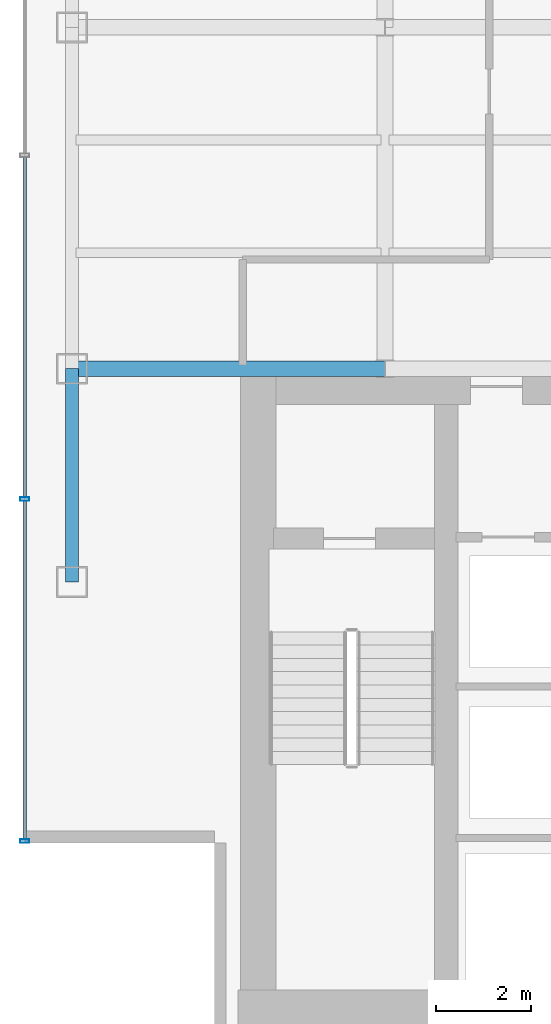
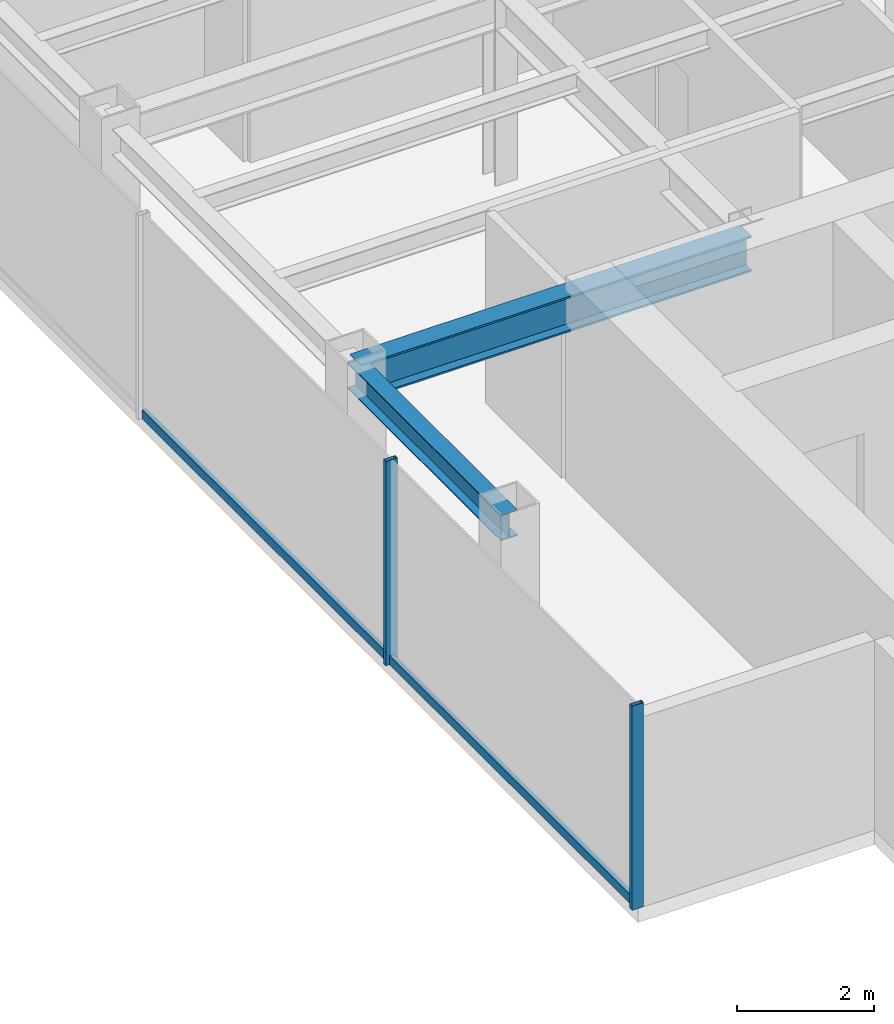
# One storey, part 3 of 25: 4 members, 2 beams, 1 element without a shape of its own.
"""IFC4 building model written with IfcOpenShell, lengths in metres."""

from ifc_helpers import new_model, si_unit, derived_unit, direction, frame, origin, origin_2d, place, context, subcontext, project, spatial, hollow_rectangle, i_section, extrude, source, transform, mapped, material, material_profile, profile_set, type_object, element, aggregate, save


model = new_model("IFC4")

# Units and contexts
model_context = context("Model", 3, precision=1e-05, world=origin(), true_north=direction((0.0, 1.0)))
body_context = subcontext(model_context, "Body", "Model", "MODEL_VIEW")
ifc_project = project(units=[si_unit("LENGTHUNIT", "METRE"), si_unit("AREAUNIT", "SQUARE_METRE"), si_unit("VOLUMEUNIT", "CUBIC_METRE"), si_unit("PLANEANGLEUNIT", "RADIAN"), si_unit("MASSUNIT", "GRAM", prefix="KILO"), derived_unit("THERMALTRANSMITTANCEUNIT", [(si_unit("POWERUNIT", "WATT"), 1), (si_unit("LENGTHUNIT", "METRE"), -2), (si_unit("THERMODYNAMICTEMPERATUREUNIT", "KELVIN"), -1)])], contexts=[model_context])

# Site, building, storey
site_placement = place(None, origin())
site = spatial("IfcSite", under=ifc_project, at=site_placement, CompositionType="ELEMENT")
building_placement = place(site_placement, origin())
building = spatial("IfcBuilding", under=site, at=building_placement, Name="Skarnbrae Concourse Arena and Tower", CompositionType="ELEMENT")
storey_placement = place(building_placement, frame((0.0, 0.0, 155.199951171875)))
storey = spatial("IfcBuildingStorey", under=building, at=storey_placement, Name="L39", CompositionType="ELEMENT", Elevation=155.199951171875)

# Beams
ifc_material_1 = material(Name="Steel CSA G40.21 350W", Category="steel")
ifc_material_profile_1 = material_profile(ifc_material_1, i_section(OverallWidth=0.3291015625, OverallDepth=0.635009765625, WebThickness=0.017822265625, FlangeThickness=0.031005859375, at=origin_2d()), Name="W610X241")
ifc_profile_set_1 = profile_set([ifc_material_profile_1], Name="Steel CSA G40.21 350W")
beam_type_1 = type_object("IfcBeamType", Name="BM-GIRD-W610X241", PredefinedType="BEAM", material=ifc_profile_set_1)
shared_shape_1 = source(origin(), body_context, "Body", "SweptSolid", [
    extrude(i_section(OverallWidth=0.3291015625, OverallDepth=0.635009765625, WebThickness=0.017822265625, FlangeThickness=0.031005859375, at=origin_2d()), origin(), (0.0, 0.0, 1.0), 6.60009765625),
])
beam_1_placement = place(storey_placement, frame((1.0, 14.0, 3.08251953125), z_axis=(1.0, 0.0, 0.0), x_axis=(0.0, 1.0, 0.0)))
element("IfcBeam", 1, at=beam_1_placement, inside=storey, type_object=beam_type_1, Name="L39 Primary E-W girder Y14.0-1", PredefinedType="BEAM", context=body_context, shape_type="MappedRepresentation", body=[
    mapped(shared_shape_1, transform((0.0, 0.0, 0.0))),
])
ifc_material_profile_2 = material_profile(ifc_material_1, i_section(OverallWidth=0.280029296875, OverallDepth=0.462890625, WebThickness=0.0107421875, FlangeThickness=0.017333984375, at=origin_2d()), Name="W460X113")
ifc_profile_set_2 = profile_set([ifc_material_profile_2], Name="Steel CSA G40.21 350W")
beam_type_2 = type_object("IfcBeamType", Name="BM-SPAN-W460X113", PredefinedType="SPANDREL", material=ifc_profile_set_2)
shared_shape_2 = source(origin(), body_context, "Body", "SweptSolid", [
    extrude(i_section(OverallWidth=0.280029296875, OverallDepth=0.462890625, WebThickness=0.0107421875, FlangeThickness=0.017333984375, at=origin_2d()), origin(), (0.0, 0.0, 1.0), 4.5),
])
beam_2_placement = place(storey_placement, frame((1.0, 9.5, 3.16845703125), z_axis=(0.0, 1.0, 0.0), x_axis=(-1.0, 0.0, 0.0)))
element("IfcBeam", 2, at=beam_2_placement, inside=storey, type_object=beam_type_2, Name="L39 Perimeter spandrel X1.0-1", PredefinedType="SPANDREL", context=body_context, shape_type="MappedRepresentation", body=[
    mapped(shared_shape_2, transform((0.0, 0.0, 0.0))),
])

# Curtain wall, members
ifc_material_2 = material(Name="Bronze anodised aluminium 6063-T6", Category="aluminium")
curtain_wall_type = type_object("IfcCurtainWallType", Name="CW-SYS-04-MIDZONE", PredefinedType="USERDEFINED", material=ifc_material_2)
curtain_wall_placement = place(storey_placement, origin())
curtain_wall = element("IfcCurtainWall", 3, at=curtain_wall_placement, inside=storey, type_object=curtain_wall_type, Name="L39 Unitised curtain wall CW-L39-E18", ObjectType="UNITISED CURTAIN WALL", PredefinedType="USERDEFINED")
ifc_material_profile_3 = material_profile(ifc_material_2, hollow_rectangle(XDim=0.074951171875, YDim=0.195068359375, WallThickness=0.00439453125, at=origin_2d()), Name="ALU-MULL-75X195")
ifc_profile_set_3 = profile_set([ifc_material_profile_3], Name="Bronze anodised aluminium 6063-T6")
member_type_1 = type_object("IfcMemberType", Name="CWM-CW-04", PredefinedType="MULLION", material=ifc_profile_set_3)
shared_shape_3 = source(origin(), body_context, "Body", "SweptSolid", [
    extrude(hollow_rectangle(XDim=0.074951171875, YDim=0.195068359375, WallThickness=0.00439453125, at=origin_2d()), origin(), (0.0, 0.0, 1.0), 3.650146484375),
])
member_1_placement = place(storey_placement, frame((0.0, 11.25, 0.0), z_axis=(0.0, 0.0, 1.0), x_axis=(0.0, -1.0, 0.0)))
member_1 = element("IfcMember", 4, at=member_1_placement, type_object=member_type_1, Name="CW-L39-E18 Mullion 4", PredefinedType="MULLION", context=body_context, shape_type="MappedRepresentation", body=[
    mapped(shared_shape_3, transform((0.0, 0.0, 0.0))),
])
member_2_placement = place(storey_placement, frame((0.0, 4.03759765625, 0.0), z_axis=(0.0, 0.0, 1.0), x_axis=(0.0, -1.0, 0.0)))
member_2 = element("IfcMember", 5, at=member_2_placement, type_object=member_type_1, Name="CW-L39-E18 Mullion 5", PredefinedType="MULLION", context=body_context, shape_type="MappedRepresentation", body=[
    mapped(shared_shape_3, transform((0.0, 0.0, 0.0))),
])
ifc_material_profile_4 = material_profile(ifc_material_2, hollow_rectangle(XDim=0.074951171875, YDim=0.159912109375, WallThickness=0.00439453125, at=origin_2d()), Name="ALU-TRAN-75X160")
ifc_profile_set_4 = profile_set([ifc_material_profile_4], Name="Bronze anodised aluminium 6063-T6")
member_type_2 = type_object("IfcMemberType", Name="CWT-CW-04", PredefinedType="USERDEFINED", material=ifc_profile_set_4)
shared_shape_4 = source(origin(), body_context, "Body", "SweptSolid", [
    extrude(hollow_rectangle(XDim=0.074951171875, YDim=0.159912109375, WallThickness=0.00439453125, at=origin_2d()), origin(), (0.0, 0.0, 1.0), 7.137451171875),
])
member_3_placement = place(storey_placement, frame((0.0, 11.21240234375, 0.080078125), z_axis=(0.0, -1.0, 0.0), x_axis=(1.0, 0.0, 0.0)))
member_3 = element("IfcMember", 6, at=member_3_placement, type_object=member_type_2, Name="CW-L39-E18 Transom 4", ObjectType="TRANSOM", PredefinedType="USERDEFINED", context=body_context, shape_type="MappedRepresentation", body=[
    mapped(shared_shape_4, transform((0.0, 0.0, 0.0))),
])
shared_shape_5 = source(origin(), body_context, "Body", "SweptSolid", [
    extrude(hollow_rectangle(XDim=0.074951171875, YDim=0.159912109375, WallThickness=0.00439453125, at=origin_2d()), origin(), (0.0, 0.0, 1.0), 7.1748046875),
])
member_4_placement = place(storey_placement, frame((0.0, 18.46240234375, 0.080078125), z_axis=(0.0, -1.0, 0.0), x_axis=(1.0, 0.0, 0.0)))
member_4 = element("IfcMember", 7, at=member_4_placement, type_object=member_type_2, Name="CW-L39-E18 Transom 3", ObjectType="TRANSOM", PredefinedType="USERDEFINED", context=body_context, shape_type="MappedRepresentation", body=[
    mapped(shared_shape_5, transform((0.0, 0.0, 0.0))),
])
aggregate(curtain_wall, [member_1, member_2, member_4, member_3])

save(model, "model.ifc")
